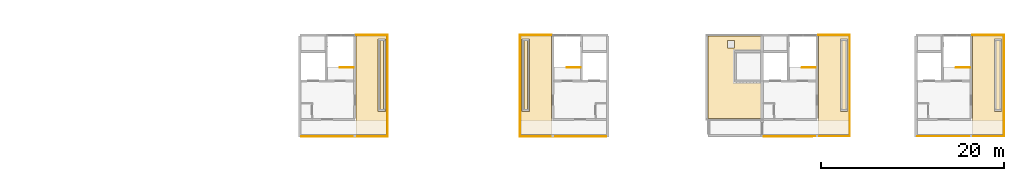
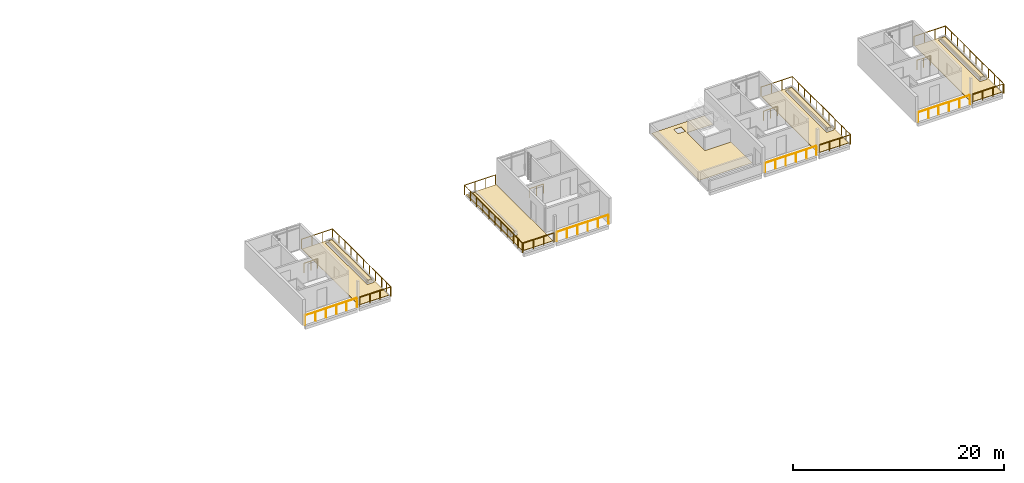
# One storey, part 32 of 33: 20 railings, 13 coverings.
"""IFC4 building model written with IfcOpenShell, lengths in metres."""

from ifc_helpers import new_model, si_unit, direction, frame, origin, origin_2d, place, context, subcontext, project, spatial, polyline, circle, outline, extrude, material, layer, layer_set, type_object, element, save


model = new_model("IFC4")

# Units and contexts
model_context = context("Model", 3, precision=1e-05, world=origin(), true_north=direction((0.0, 1.0)))
body_context = subcontext(model_context, "Body", "Model", "MODEL_VIEW")
ifc_project = project(units=[si_unit("LENGTHUNIT", "METRE"), si_unit("AREAUNIT", "SQUARE_METRE"), si_unit("VOLUMEUNIT", "CUBIC_METRE"), si_unit("PLANEANGLEUNIT", "RADIAN"), si_unit("MASSUNIT", "GRAM", prefix="KILO")], contexts=[model_context])

# Site, building, storey
site_placement = place(None, origin())
site = spatial("IfcSite", under=ifc_project, at=site_placement, CompositionType="ELEMENT")
building_placement = place(site_placement, origin())
building = spatial("IfcBuilding", under=site, at=building_placement, Name="Ridgestep Commons", CompositionType="ELEMENT")
storey_placement = place(building_placement, frame((0.0, 0.0, 42.0)))
storey = spatial("IfcBuildingStorey", under=building, at=storey_placement, Name="L14", CompositionType="ELEMENT", Elevation=42.0)

# Railings
ifc_material_1 = material(Name="Structural steel S355JR", Category="steel")
railing_type_1 = type_object("IfcRailingType", Name="Guard 1100", PredefinedType="GUARDRAIL", material=ifc_material_1)
railing_1_placement = place(storey_placement, frame((173.178955078125, 13.571044921875, 0.0)))
element("IfcRailing", 1, at=railing_1_placement, inside=storey, type_object=railing_type_1, Name="Guard TD-D2R3-GD", PredefinedType="GUARDRAIL", context=body_context, shape_type="SweptSolid", body=[
    extrude(circle(Radius=0.02392578125, at=origin_2d()), frame((0.0, 0.0, 1.076171875), z_axis=(0.0, 1.0, 0.0), x_axis=(-1.0, 0.0, 0.0)), (0.0, 0.0, 1.0), 9.303955078125),
    extrude(circle(Radius=0.02392578125, at=origin_2d()), frame((0.0, 9.303955078125, 1.076171875), z_axis=(-1.0, 0.0, 0.0), x_axis=(0.0, -1.0, 0.0)), (0.0, 0.0, 1.0), 3.432861328125),
    extrude(circle(Radius=0.02099609375, at=origin_2d()), origin(), (0.0, 0.0, 1.0), 1.052001953125),
    extrude(circle(Radius=0.02099609375, at=origin_2d()), frame((0.0, 1.1630859375, 0.0)), (0.0, 0.0, 1.0), 1.052001953125),
    extrude(circle(Radius=0.02099609375, at=origin_2d()), frame((0.0, 2.325927734375, 0.0)), (0.0, 0.0, 1.0), 1.052001953125),
    extrude(circle(Radius=0.02099609375, at=origin_2d()), frame((0.0, 3.489013671875, 0.0)), (0.0, 0.0, 1.0), 1.052001953125),
    extrude(circle(Radius=0.02099609375, at=origin_2d()), frame((0.0, 4.65185546875, 0.0)), (0.0, 0.0, 1.0), 1.052001953125),
    extrude(circle(Radius=0.02099609375, at=origin_2d()), frame((0.0, 5.81494140625, 0.0)), (0.0, 0.0, 1.0), 1.052001953125),
    extrude(circle(Radius=0.02099609375, at=origin_2d()), frame((0.0, 6.97802734375, 0.0)), (0.0, 0.0, 1.0), 1.052001953125),
    extrude(circle(Radius=0.02099609375, at=origin_2d()), frame((0.0, 8.140869140625, 0.0)), (0.0, 0.0, 1.0), 1.052001953125),
    extrude(circle(Radius=0.02099609375, at=origin_2d()), frame((0.0, 9.303955078125, 0.0)), (0.0, 0.0, 1.0), 1.052001953125),
    extrude(circle(Radius=0.02099609375, at=origin_2d()), frame((-1.144287109375, 9.303955078125, 0.0)), (0.0, 0.0, 1.0), 1.052001953125),
    extrude(circle(Radius=0.02099609375, at=origin_2d()), frame((-2.28857421875, 9.303955078125, 0.0)), (0.0, 0.0, 1.0), 1.052001953125),
    extrude(circle(Radius=0.02099609375, at=origin_2d()), frame((-3.432861328125, 9.303955078125, 0.0)), (0.0, 0.0, 1.0), 1.052001953125),
])
railing_2_placement = place(storey_placement, frame((187.62109375, 13.571044921875, 0.0)))
element("IfcRailing", 2, at=railing_2_placement, inside=storey, type_object=railing_type_1, Name="Guard TD-D3R3-GD", PredefinedType="GUARDRAIL", context=body_context, shape_type="SweptSolid", body=[
    extrude(circle(Radius=0.02392578125, at=origin_2d()), frame((0.0, 0.0, 1.076171875), z_axis=(0.0, 1.0, 0.0), x_axis=(-1.0, 0.0, 0.0)), (0.0, 0.0, 1.0), 9.303955078125),
    extrude(circle(Radius=0.02392578125, at=origin_2d()), frame((0.0, 9.303955078125, 1.076171875), z_axis=(1.0, 0.0, 0.0), x_axis=(0.0, 1.0, 0.0)), (0.0, 0.0, 1.0), 3.432861328125),
    extrude(circle(Radius=0.02099609375, at=origin_2d()), origin(), (0.0, 0.0, 1.0), 1.052001953125),
    extrude(circle(Radius=0.02099609375, at=origin_2d()), frame((0.0, 1.1630859375, 0.0)), (0.0, 0.0, 1.0), 1.052001953125),
    extrude(circle(Radius=0.02099609375, at=origin_2d()), frame((0.0, 2.325927734375, 0.0)), (0.0, 0.0, 1.0), 1.052001953125),
    extrude(circle(Radius=0.02099609375, at=origin_2d()), frame((0.0, 3.489013671875, 0.0)), (0.0, 0.0, 1.0), 1.052001953125),
    extrude(circle(Radius=0.02099609375, at=origin_2d()), frame((0.0, 4.65185546875, 0.0)), (0.0, 0.0, 1.0), 1.052001953125),
    extrude(circle(Radius=0.02099609375, at=origin_2d()), frame((0.0, 5.81494140625, 0.0)), (0.0, 0.0, 1.0), 1.052001953125),
    extrude(circle(Radius=0.02099609375, at=origin_2d()), frame((0.0, 6.97802734375, 0.0)), (0.0, 0.0, 1.0), 1.052001953125),
    extrude(circle(Radius=0.02099609375, at=origin_2d()), frame((0.0, 8.140869140625, 0.0)), (0.0, 0.0, 1.0), 1.052001953125),
    extrude(circle(Radius=0.02099609375, at=origin_2d()), frame((0.0, 9.303955078125, 0.0)), (0.0, 0.0, 1.0), 1.052001953125),
    extrude(circle(Radius=0.02099609375, at=origin_2d()), frame((1.144287109375, 9.303955078125, 0.0)), (0.0, 0.0, 1.0), 1.052001953125),
    extrude(circle(Radius=0.02099609375, at=origin_2d()), frame((2.28857421875, 9.303955078125, 0.0)), (0.0, 0.0, 1.0), 1.052001953125),
    extrude(circle(Radius=0.02099609375, at=origin_2d()), frame((3.432861328125, 9.303955078125, 0.0)), (0.0, 0.0, 1.0), 1.052001953125),
])
railing_3_placement = place(storey_placement, frame((223.5791015625, 13.571044921875, 0.0)))
element("IfcRailing", 3, at=railing_3_placement, inside=storey, type_object=railing_type_1, Name="Guard TD-D5R3-GD", PredefinedType="GUARDRAIL", context=body_context, shape_type="SweptSolid", body=[
    extrude(circle(Radius=0.02392578125, at=origin_2d()), frame((0.0, 0.0, 1.076171875), z_axis=(0.0, 1.0, 0.0), x_axis=(-1.0, 0.0, 0.0)), (0.0, 0.0, 1.0), 9.303955078125),
    extrude(circle(Radius=0.02392578125, at=origin_2d()), frame((0.0, 9.303955078125, 1.076171875), z_axis=(-1.0, 0.0, 0.0), x_axis=(0.0, -1.0, 0.0)), (0.0, 0.0, 1.0), 3.43310546875),
    extrude(circle(Radius=0.02099609375, at=origin_2d()), origin(), (0.0, 0.0, 1.0), 1.052001953125),
    extrude(circle(Radius=0.02099609375, at=origin_2d()), frame((0.0, 1.1630859375, 0.0)), (0.0, 0.0, 1.0), 1.052001953125),
    extrude(circle(Radius=0.02099609375, at=origin_2d()), frame((0.0, 2.325927734375, 0.0)), (0.0, 0.0, 1.0), 1.052001953125),
    extrude(circle(Radius=0.02099609375, at=origin_2d()), frame((0.0, 3.489013671875, 0.0)), (0.0, 0.0, 1.0), 1.052001953125),
    extrude(circle(Radius=0.02099609375, at=origin_2d()), frame((0.0, 4.65185546875, 0.0)), (0.0, 0.0, 1.0), 1.052001953125),
    extrude(circle(Radius=0.02099609375, at=origin_2d()), frame((0.0, 5.81494140625, 0.0)), (0.0, 0.0, 1.0), 1.052001953125),
    extrude(circle(Radius=0.02099609375, at=origin_2d()), frame((0.0, 6.97802734375, 0.0)), (0.0, 0.0, 1.0), 1.052001953125),
    extrude(circle(Radius=0.02099609375, at=origin_2d()), frame((0.0, 8.140869140625, 0.0)), (0.0, 0.0, 1.0), 1.052001953125),
    extrude(circle(Radius=0.02099609375, at=origin_2d()), frame((0.0, 9.303955078125, 0.0)), (0.0, 0.0, 1.0), 1.052001953125),
    extrude(circle(Radius=0.02099609375, at=origin_2d()), frame((-1.144287109375, 9.303955078125, 0.0)), (0.0, 0.0, 1.0), 1.052001953125),
    extrude(circle(Radius=0.02099609375, at=origin_2d()), frame((-2.288818359375, 9.303955078125, 0.0)), (0.0, 0.0, 1.0), 1.052001953125),
    extrude(circle(Radius=0.02099609375, at=origin_2d()), frame((-3.43310546875, 9.303955078125, 0.0)), (0.0, 0.0, 1.0), 1.052001953125),
])
railing_4_placement = place(storey_placement, frame((240.37890625, 13.571044921875, 0.0)))
element("IfcRailing", 4, at=railing_4_placement, inside=storey, type_object=railing_type_1, Name="Guard TD-D6R3-GD", PredefinedType="GUARDRAIL", context=body_context, shape_type="SweptSolid", body=[
    extrude(circle(Radius=0.02392578125, at=origin_2d()), frame((0.0, 0.0, 1.076171875), z_axis=(0.0, 1.0, 0.0), x_axis=(-1.0, 0.0, 0.0)), (0.0, 0.0, 1.0), 9.303955078125),
    extrude(circle(Radius=0.02392578125, at=origin_2d()), frame((0.0, 9.303955078125, 1.076171875), z_axis=(-1.0, 0.0, 0.0), x_axis=(0.0, -1.0, 0.0)), (0.0, 0.0, 1.0), 3.432861328125),
    extrude(circle(Radius=0.02099609375, at=origin_2d()), origin(), (0.0, 0.0, 1.0), 1.052001953125),
    extrude(circle(Radius=0.02099609375, at=origin_2d()), frame((0.0, 1.1630859375, 0.0)), (0.0, 0.0, 1.0), 1.052001953125),
    extrude(circle(Radius=0.02099609375, at=origin_2d()), frame((0.0, 2.325927734375, 0.0)), (0.0, 0.0, 1.0), 1.052001953125),
    extrude(circle(Radius=0.02099609375, at=origin_2d()), frame((0.0, 3.489013671875, 0.0)), (0.0, 0.0, 1.0), 1.052001953125),
    extrude(circle(Radius=0.02099609375, at=origin_2d()), frame((0.0, 4.65185546875, 0.0)), (0.0, 0.0, 1.0), 1.052001953125),
    extrude(circle(Radius=0.02099609375, at=origin_2d()), frame((0.0, 5.81494140625, 0.0)), (0.0, 0.0, 1.0), 1.052001953125),
    extrude(circle(Radius=0.02099609375, at=origin_2d()), frame((0.0, 6.97802734375, 0.0)), (0.0, 0.0, 1.0), 1.052001953125),
    extrude(circle(Radius=0.02099609375, at=origin_2d()), frame((0.0, 8.140869140625, 0.0)), (0.0, 0.0, 1.0), 1.052001953125),
    extrude(circle(Radius=0.02099609375, at=origin_2d()), frame((0.0, 9.303955078125, 0.0)), (0.0, 0.0, 1.0), 1.052001953125),
    extrude(circle(Radius=0.02099609375, at=origin_2d()), frame((-1.144287109375, 9.303955078125, 0.0)), (0.0, 0.0, 1.0), 1.052001953125),
    extrude(circle(Radius=0.02099609375, at=origin_2d()), frame((-2.28857421875, 9.303955078125, 0.0)), (0.0, 0.0, 1.0), 1.052001953125),
    extrude(circle(Radius=0.02099609375, at=origin_2d()), frame((-3.432861328125, 9.303955078125, 0.0)), (0.0, 0.0, 1.0), 1.052001953125),
])
railing_5_placement = place(storey_placement, frame((163.77099609375, 11.800048828125, 0.0)))
element("IfcRailing", 5, at=railing_5_placement, inside=storey, type_object=railing_type_1, Name="Gallery guard D 14.1", PredefinedType="GUARDRAIL", context=body_context, shape_type="SweptSolid", body=[
    extrude(circle(Radius=0.02392578125, at=origin_2d()), frame((0.0, 0.0, 1.076171875), z_axis=(1.0, 0.0, 0.0), x_axis=(0.0, 1.0, 0.0)), (0.0, 0.0, 1.0), 5.68310546875),
    extrude(circle(Radius=0.02099609375, at=origin_2d()), origin(), (0.0, 0.0, 1.0), 1.052001953125),
    extrude(circle(Radius=0.02099609375, at=origin_2d()), frame((1.13671875, 0.0, 0.0)), (0.0, 0.0, 1.0), 1.052001953125),
    extrude(circle(Radius=0.02099609375, at=origin_2d()), frame((2.273193359375, 0.0, 0.0)), (0.0, 0.0, 1.0), 1.052001953125),
    extrude(circle(Radius=0.02099609375, at=origin_2d()), frame((3.409912109375, 0.0, 0.0)), (0.0, 0.0, 1.0), 1.052001953125),
    extrude(circle(Radius=0.02099609375, at=origin_2d()), frame((4.54638671875, 0.0, 0.0)), (0.0, 0.0, 1.0), 1.052001953125),
    extrude(circle(Radius=0.02099609375, at=origin_2d()), frame((5.68310546875, 0.0, 0.0)), (0.0, 0.0, 1.0), 1.052001953125),
])
railing_6_placement = place(storey_placement, frame((169.74609375, 11.800048828125, 0.0)))
element("IfcRailing", 6, at=railing_6_placement, inside=storey, type_object=railing_type_1, Name="Gallery guard D 14.2", PredefinedType="GUARDRAIL", context=body_context, shape_type="SweptSolid", body=[
    extrude(circle(Radius=0.02392578125, at=origin_2d()), frame((0.0, 0.0, 1.076171875), z_axis=(1.0, 0.0, 0.0), x_axis=(0.0, 1.0, 0.0)), (0.0, 0.0, 1.0), 3.369873046875),
    extrude(circle(Radius=0.02099609375, at=origin_2d()), origin(), (0.0, 0.0, 1.0), 1.052001953125),
    extrude(circle(Radius=0.02099609375, at=origin_2d()), frame((1.123291015625, 0.0, 0.0)), (0.0, 0.0, 1.0), 1.052001953125),
    extrude(circle(Radius=0.02099609375, at=origin_2d()), frame((2.24658203125, 0.0, 0.0)), (0.0, 0.0, 1.0), 1.052001953125),
    extrude(circle(Radius=0.02099609375, at=origin_2d()), frame((3.369873046875, 0.0, 0.0)), (0.0, 0.0, 1.0), 1.052001953125),
])
railing_7_placement = place(storey_placement, frame((173.178955078125, 11.800048828125, 0.0)))
element("IfcRailing", 7, at=railing_7_placement, inside=storey, type_object=railing_type_1, Name="Gallery end guard D 14.2E", PredefinedType="GUARDRAIL", context=body_context, shape_type="SweptSolid", body=[
    extrude(circle(Radius=0.02392578125, at=origin_2d()), frame((0.0, 0.0, 1.076171875), z_axis=(0.0, 1.0, 0.0), x_axis=(-1.0, 0.0, 0.0)), (0.0, 0.0, 1.0), 1.72900390625),
    extrude(circle(Radius=0.02099609375, at=origin_2d()), origin(), (0.0, 0.0, 1.0), 1.052001953125),
    extrude(circle(Radius=0.02099609375, at=origin_2d()), frame((0.0, 0.864501953125, 0.0)), (0.0, 0.0, 1.0), 1.052001953125),
    extrude(circle(Radius=0.02099609375, at=origin_2d()), frame((0.0, 1.72900390625, 0.0)), (0.0, 0.0, 1.0), 1.052001953125),
])
railing_8_placement = place(storey_placement, frame((187.68408203125, 11.800048828125, 0.0)))
element("IfcRailing", 8, at=railing_8_placement, inside=storey, type_object=railing_type_1, Name="Gallery guard D 14.1", PredefinedType="GUARDRAIL", context=body_context, shape_type="SweptSolid", body=[
    extrude(circle(Radius=0.02392578125, at=origin_2d()), frame((0.0, 0.0, 1.076171875), z_axis=(1.0, 0.0, 0.0), x_axis=(0.0, 1.0, 0.0)), (0.0, 0.0, 1.0), 3.369873046875),
    extrude(circle(Radius=0.02099609375, at=origin_2d()), origin(), (0.0, 0.0, 1.0), 1.052001953125),
    extrude(circle(Radius=0.02099609375, at=origin_2d()), frame((1.123291015625, 0.0, 0.0)), (0.0, 0.0, 1.0), 1.052001953125),
    extrude(circle(Radius=0.02099609375, at=origin_2d()), frame((2.24658203125, 0.0, 0.0)), (0.0, 0.0, 1.0), 1.052001953125),
    extrude(circle(Radius=0.02099609375, at=origin_2d()), frame((3.369873046875, 0.0, 0.0)), (0.0, 0.0, 1.0), 1.052001953125),
])
railing_9_placement = place(storey_placement, frame((187.62109375, 11.800048828125, 0.0)))
element("IfcRailing", 9, at=railing_9_placement, inside=storey, type_object=railing_type_1, Name="Gallery end guard D 14.1W", PredefinedType="GUARDRAIL", context=body_context, shape_type="SweptSolid", body=[
    extrude(circle(Radius=0.02392578125, at=origin_2d()), frame((0.0, 0.0, 1.076171875), z_axis=(0.0, 1.0, 0.0), x_axis=(-1.0, 0.0, 0.0)), (0.0, 0.0, 1.0), 1.72900390625),
    extrude(circle(Radius=0.02099609375, at=origin_2d()), origin(), (0.0, 0.0, 1.0), 1.052001953125),
    extrude(circle(Radius=0.02099609375, at=origin_2d()), frame((0.0, 0.864501953125, 0.0)), (0.0, 0.0, 1.0), 1.052001953125),
    extrude(circle(Radius=0.02099609375, at=origin_2d()), frame((0.0, 1.72900390625, 0.0)), (0.0, 0.0, 1.0), 1.052001953125),
])
railing_10_placement = place(storey_placement, frame((191.345947265625, 11.800048828125, 0.0)))
element("IfcRailing", 10, at=railing_10_placement, inside=storey, type_object=railing_type_1, Name="Gallery guard D 14.2", PredefinedType="GUARDRAIL", context=body_context, shape_type="SweptSolid", body=[
    extrude(circle(Radius=0.02392578125, at=origin_2d()), frame((0.0, 0.0, 1.076171875), z_axis=(1.0, 0.0, 0.0), x_axis=(0.0, 1.0, 0.0)), (0.0, 0.0, 1.0), 5.68310546875),
    extrude(circle(Radius=0.02099609375, at=origin_2d()), origin(), (0.0, 0.0, 1.0), 1.052001953125),
    extrude(circle(Radius=0.02099609375, at=origin_2d()), frame((1.13671875, 0.0, 0.0)), (0.0, 0.0, 1.0), 1.052001953125),
    extrude(circle(Radius=0.02099609375, at=origin_2d()), frame((2.273193359375, 0.0, 0.0)), (0.0, 0.0, 1.0), 1.052001953125),
    extrude(circle(Radius=0.02099609375, at=origin_2d()), frame((3.409912109375, 0.0, 0.0)), (0.0, 0.0, 1.0), 1.052001953125),
    extrude(circle(Radius=0.02099609375, at=origin_2d()), frame((4.54638671875, 0.0, 0.0)), (0.0, 0.0, 1.0), 1.052001953125),
    extrude(circle(Radius=0.02099609375, at=origin_2d()), frame((5.68310546875, 0.0, 0.0)), (0.0, 0.0, 1.0), 1.052001953125),
])
railing_11_placement = place(storey_placement, frame((214.2109375, 11.800048828125, 0.0)))
element("IfcRailing", 11, at=railing_11_placement, inside=storey, type_object=railing_type_1, Name="Gallery guard D 14.2", PredefinedType="GUARDRAIL", context=body_context, shape_type="SweptSolid", body=[
    extrude(circle(Radius=0.02392578125, at=origin_2d()), frame((0.0, 0.0, 1.076171875), z_axis=(1.0, 0.0, 0.0), x_axis=(0.0, 1.0, 0.0)), (0.0, 0.0, 1.0), 5.64306640625),
    extrude(circle(Radius=0.02099609375, at=origin_2d()), origin(), (0.0, 0.0, 1.0), 1.052001953125),
    extrude(circle(Radius=0.02099609375, at=origin_2d()), frame((1.128662109375, 0.0, 0.0)), (0.0, 0.0, 1.0), 1.052001953125),
    extrude(circle(Radius=0.02099609375, at=origin_2d()), frame((2.25732421875, 0.0, 0.0)), (0.0, 0.0, 1.0), 1.052001953125),
    extrude(circle(Radius=0.02099609375, at=origin_2d()), frame((3.3857421875, 0.0, 0.0)), (0.0, 0.0, 1.0), 1.052001953125),
    extrude(circle(Radius=0.02099609375, at=origin_2d()), frame((4.514404296875, 0.0, 0.0)), (0.0, 0.0, 1.0), 1.052001953125),
    extrude(circle(Radius=0.02099609375, at=origin_2d()), frame((5.64306640625, 0.0, 0.0)), (0.0, 0.0, 1.0), 1.052001953125),
])
railing_12_placement = place(storey_placement, frame((220.14599609375, 11.800048828125, 0.0)))
element("IfcRailing", 12, at=railing_12_placement, inside=storey, type_object=railing_type_1, Name="Gallery guard D 14.3", PredefinedType="GUARDRAIL", context=body_context, shape_type="SweptSolid", body=[
    extrude(circle(Radius=0.02392578125, at=origin_2d()), frame((0.0, 0.0, 1.076171875), z_axis=(1.0, 0.0, 0.0), x_axis=(0.0, 1.0, 0.0)), (0.0, 0.0, 1.0), 3.3701171875),
    extrude(circle(Radius=0.02099609375, at=origin_2d()), origin(), (0.0, 0.0, 1.0), 1.052001953125),
    extrude(circle(Radius=0.02099609375, at=origin_2d()), frame((1.123291015625, 0.0, 0.0)), (0.0, 0.0, 1.0), 1.052001953125),
    extrude(circle(Radius=0.02099609375, at=origin_2d()), frame((2.246826171875, 0.0, 0.0)), (0.0, 0.0, 1.0), 1.052001953125),
    extrude(circle(Radius=0.02099609375, at=origin_2d()), frame((3.3701171875, 0.0, 0.0)), (0.0, 0.0, 1.0), 1.052001953125),
])
railing_13_placement = place(storey_placement, frame((223.5791015625, 11.800048828125, 0.0)))
element("IfcRailing", 13, at=railing_13_placement, inside=storey, type_object=railing_type_1, Name="Gallery end guard D 14.3E", PredefinedType="GUARDRAIL", context=body_context, shape_type="SweptSolid", body=[
    extrude(circle(Radius=0.02392578125, at=origin_2d()), frame((0.0, 0.0, 1.076171875), z_axis=(0.0, 1.0, 0.0), x_axis=(-1.0, 0.0, 0.0)), (0.0, 0.0, 1.0), 1.72900390625),
    extrude(circle(Radius=0.02099609375, at=origin_2d()), origin(), (0.0, 0.0, 1.0), 1.052001953125),
    extrude(circle(Radius=0.02099609375, at=origin_2d()), frame((0.0, 0.864501953125, 0.0)), (0.0, 0.0, 1.0), 1.052001953125),
    extrude(circle(Radius=0.02099609375, at=origin_2d()), frame((0.0, 1.72900390625, 0.0)), (0.0, 0.0, 1.0), 1.052001953125),
])
railing_14_placement = place(storey_placement, frame((230.970947265625, 11.800048828125, 0.0)))
element("IfcRailing", 14, at=railing_14_placement, inside=storey, type_object=railing_type_1, Name="Gallery guard D 14.1", PredefinedType="GUARDRAIL", context=body_context, shape_type="SweptSolid", body=[
    extrude(circle(Radius=0.02392578125, at=origin_2d()), frame((0.0, 0.0, 1.076171875), z_axis=(1.0, 0.0, 0.0), x_axis=(0.0, 1.0, 0.0)), (0.0, 0.0, 1.0), 5.68310546875),
    extrude(circle(Radius=0.02099609375, at=origin_2d()), origin(), (0.0, 0.0, 1.0), 1.052001953125),
    extrude(circle(Radius=0.02099609375, at=origin_2d()), frame((1.13671875, 0.0, 0.0)), (0.0, 0.0, 1.0), 1.052001953125),
    extrude(circle(Radius=0.02099609375, at=origin_2d()), frame((2.273193359375, 0.0, 0.0)), (0.0, 0.0, 1.0), 1.052001953125),
    extrude(circle(Radius=0.02099609375, at=origin_2d()), frame((3.409912109375, 0.0, 0.0)), (0.0, 0.0, 1.0), 1.052001953125),
    extrude(circle(Radius=0.02099609375, at=origin_2d()), frame((4.54638671875, 0.0, 0.0)), (0.0, 0.0, 1.0), 1.052001953125),
    extrude(circle(Radius=0.02099609375, at=origin_2d()), frame((5.68310546875, 0.0, 0.0)), (0.0, 0.0, 1.0), 1.052001953125),
])
railing_15_placement = place(storey_placement, frame((236.946044921875, 11.800048828125, 0.0)))
element("IfcRailing", 15, at=railing_15_placement, inside=storey, type_object=railing_type_1, Name="Gallery guard D 14.2", PredefinedType="GUARDRAIL", context=body_context, shape_type="SweptSolid", body=[
    extrude(circle(Radius=0.02392578125, at=origin_2d()), frame((0.0, 0.0, 1.076171875), z_axis=(1.0, 0.0, 0.0), x_axis=(0.0, 1.0, 0.0)), (0.0, 0.0, 1.0), 3.369873046875),
    extrude(circle(Radius=0.02099609375, at=origin_2d()), origin(), (0.0, 0.0, 1.0), 1.052001953125),
    extrude(circle(Radius=0.02099609375, at=origin_2d()), frame((1.123291015625, 0.0, 0.0)), (0.0, 0.0, 1.0), 1.052001953125),
    extrude(circle(Radius=0.02099609375, at=origin_2d()), frame((2.24658203125, 0.0, 0.0)), (0.0, 0.0, 1.0), 1.052001953125),
    extrude(circle(Radius=0.02099609375, at=origin_2d()), frame((3.369873046875, 0.0, 0.0)), (0.0, 0.0, 1.0), 1.052001953125),
])
railing_16_placement = place(storey_placement, frame((240.37890625, 11.800048828125, 0.0)))
element("IfcRailing", 16, at=railing_16_placement, inside=storey, type_object=railing_type_1, Name="Gallery end guard D 14.2E", PredefinedType="GUARDRAIL", context=body_context, shape_type="SweptSolid", body=[
    extrude(circle(Radius=0.02392578125, at=origin_2d()), frame((0.0, 0.0, 1.076171875), z_axis=(0.0, 1.0, 0.0), x_axis=(-1.0, 0.0, 0.0)), (0.0, 0.0, 1.0), 1.72900390625),
    extrude(circle(Radius=0.02099609375, at=origin_2d()), origin(), (0.0, 0.0, 1.0), 1.052001953125),
    extrude(circle(Radius=0.02099609375, at=origin_2d()), frame((0.0, 0.864501953125, 0.0)), (0.0, 0.0, 1.0), 1.052001953125),
    extrude(circle(Radius=0.02099609375, at=origin_2d()), frame((0.0, 1.72900390625, 0.0)), (0.0, 0.0, 1.0), 1.052001953125),
])

# Coverings
ifc_material_2 = material(Name="Planting soil")
ifc_layer_1 = layer(ifc_material_2, 0.35009765625)
ifc_layer_set_1 = layer_set([ifc_layer_1], Name="Planting soil 350")
covering_type_1 = type_object("IfcCoveringType", Name="Planting soil 350", PredefinedType="FLOORING", material=ifc_layer_set_1)
covering_1_placement = place(storey_placement, frame((0.0, 0.0, 0.010009765625)))
element("IfcCovering", 17, at=covering_1_placement, inside=storey, type_object=covering_type_1, Name="Planting soil D2R3", PredefinedType="FLOORING", context=body_context, shape_type="SweptSolid", body=[
    extrude(outline(polyline([(172.35009765625, 14.75), (172.75, 14.75), (172.75, 22.25), (172.35009765625, 22.25), (172.35009765625, 14.75)])), origin(), (0.0, 0.0, 1.0), 0.35009765625),
])
covering_2_placement = place(storey_placement, frame((0.0, 0.0, 0.010009765625)))
element("IfcCovering", 18, at=covering_2_placement, inside=storey, type_object=covering_type_1, Name="Planting soil D3R3", PredefinedType="FLOORING", context=body_context, shape_type="SweptSolid", body=[
    extrude(outline(polyline([(188.050048828125, 14.75), (188.449951171875, 14.75), (188.449951171875, 22.25), (188.050048828125, 22.25), (188.050048828125, 14.75)])), origin(), (0.0, 0.0, 1.0), 0.35009765625),
])
covering_3_placement = place(storey_placement, frame((0.0, 0.0, 0.010009765625)))
element("IfcCovering", 19, at=covering_3_placement, inside=storey, type_object=covering_type_1, Name="Planting soil D5R3", PredefinedType="FLOORING", context=body_context, shape_type="SweptSolid", body=[
    extrude(outline(polyline([(222.75, 14.75), (223.14990234375, 14.75), (223.14990234375, 22.25), (222.75, 22.25), (222.75, 14.75)])), origin(), (0.0, 0.0, 1.0), 0.35009765625),
])
covering_4_placement = place(storey_placement, frame((0.0, 0.0, 0.010009765625)))
element("IfcCovering", 20, at=covering_4_placement, inside=storey, type_object=covering_type_1, Name="Planting soil D6R3", PredefinedType="FLOORING", context=body_context, shape_type="SweptSolid", body=[
    extrude(outline(polyline([(239.550048828125, 14.75), (239.949951171875, 14.75), (239.949951171875, 22.25), (239.550048828125, 22.25), (239.550048828125, 14.75)])), origin(), (0.0, 0.0, 1.0), 0.35009765625),
])
ifc_material_3 = material(Name="Bitumen membrane, two layer")
ifc_layer_2 = layer(ifc_material_3, 0.011962890625)
ifc_layer_set_2 = layer_set([ifc_layer_2], Name="Roof membrane 12")
covering_type_2 = type_object("IfcCoveringType", Name="Roof membrane 12", PredefinedType="ROOFING", material=ifc_layer_set_2)
covering_5_placement = place(storey_placement, origin())
element("IfcCovering", 21, at=covering_5_placement, inside=storey, type_object=covering_type_2, Name="Roof membrane D4C", PredefinedType="ROOFING", context=body_context, shape_type="SweptSolid", body=[
    extrude(outline(polyline([(208.10009765625, 13.75), (208.10009765625, 22.77490234375), (213.89990234375, 22.77490234375), (213.89990234375, 21.14990234375), (211.02490234375, 21.14990234375), (211.02490234375, 17.75), (213.89990234375, 17.75), (213.89990234375, 13.75), (208.10009765625, 13.75)]), holes=[polyline([(211.02490234375, 22.25), (210.22509765625, 22.25), (210.22509765625, 21.449951171875), (211.02490234375, 21.449951171875), (211.02490234375, 22.25)])]), origin(), (0.0, 0.0, 1.0), 0.011962890625),
])

# Railings
ifc_material_4 = material(Name="Structural steel S355JR", Category="steel")
railing_type_2 = type_object("IfcRailingType", Name="Stair guard 1100", PredefinedType="GUARDRAIL", material=ifc_material_4)
for number, where, name in (
    (22, (169.47509765625, 19.300048828125, 0.0), "L14 D2C top well guard 1"),
    (23, (194.22509765625, 19.300048828125, 0.0), "L14 D3C top well guard 1"),
    (24, (219.875, 19.300048828125, 0.0), "L14 D5C top well guard 1"),
    (25, (236.675048828125, 19.300048828125, 0.0), "L14 D6C top well guard 1"),
):
    element("IfcRailing", number, at=place(storey_placement, frame(where)), inside=storey, type_object=railing_type_2, Name=name, PredefinedType="GUARDRAIL", context=body_context, shape_type="SweptSolid", body=[
        extrude(circle(Radius=0.02392578125, at=origin_2d()), frame((0.0, 0.0, 1.076171875), z_axis=(-1.0, 0.0, 0.0), x_axis=(0.0, -1.0, 0.0)), (0.0, 0.0, 1.0), 1.5),
        extrude(circle(Radius=0.02099609375, at=origin_2d()), origin(), (0.0, 0.0, 1.0), 1.052001953125),
        extrude(circle(Radius=0.02099609375, at=origin_2d()), frame((-0.75, 0.0, 0.0)), (0.0, 0.0, 1.0), 1.052001953125),
        extrude(circle(Radius=0.02099609375, at=origin_2d()), frame((-1.5, 0.0, 0.0)), (0.0, 0.0, 1.0), 1.052001953125),
    ])

# Coverings
ifc_material_5 = material(Name="Bitumen membrane, two layer")
ifc_layer_3 = layer(ifc_material_5, 0.010009765625)
ifc_layer_set_3 = layer_set([ifc_layer_3], Name="Terrace membrane 10")
covering_type_3 = type_object("IfcCoveringType", Name="Terrace membrane 10", PredefinedType="ROOFING", material=ifc_layer_set_3)
covering_6_placement = place(storey_placement, origin())
element("IfcCovering", 26, at=covering_6_placement, inside=storey, type_object=covering_type_3, Name="Terrace membrane D2R3", PredefinedType="ROOFING", context=body_context, shape_type="SweptSolid", body=[
    extrude(outline(polyline([(173.074951171875, 12.0), (173.074951171875, 22.75), (169.75, 22.75), (169.75, 12.0), (173.074951171875, 12.0)]), holes=[polyline([(172.949951171875, 14.550048828125), (172.949951171875, 22.449951171875), (172.14990234375, 22.449951171875), (172.14990234375, 14.550048828125), (172.949951171875, 14.550048828125)])]), origin(), (0.0, 0.0, 1.0), 0.010009765625),
])
covering_7_placement = place(storey_placement, origin())
element("IfcCovering", 27, at=covering_7_placement, inside=storey, type_object=covering_type_3, Name="Terrace membrane D3R3", PredefinedType="ROOFING", context=body_context, shape_type="SweptSolid", body=[
    extrude(outline(polyline([(191.050048828125, 12.0), (191.050048828125, 22.75), (187.72509765625, 22.75), (187.72509765625, 12.0), (191.050048828125, 12.0)]), holes=[polyline([(188.64990234375, 14.550048828125), (188.64990234375, 22.449951171875), (187.85009765625, 22.449951171875), (187.85009765625, 14.550048828125), (188.64990234375, 14.550048828125)])]), origin(), (0.0, 0.0, 1.0), 0.010009765625),
])
covering_8_placement = place(storey_placement, origin())
element("IfcCovering", 28, at=covering_8_placement, inside=storey, type_object=covering_type_3, Name="Terrace membrane D5R3", PredefinedType="ROOFING", context=body_context, shape_type="SweptSolid", body=[
    extrude(outline(polyline([(223.47509765625, 12.0), (223.47509765625, 22.75), (220.14990234375, 22.75), (220.14990234375, 12.0), (223.47509765625, 12.0)]), holes=[polyline([(223.35009765625, 14.550048828125), (223.35009765625, 22.449951171875), (222.550048828125, 22.449951171875), (222.550048828125, 14.550048828125), (223.35009765625, 14.550048828125)])]), origin(), (0.0, 0.0, 1.0), 0.010009765625),
])
covering_9_placement = place(storey_placement, origin())
element("IfcCovering", 29, at=covering_9_placement, inside=storey, type_object=covering_type_3, Name="Terrace membrane D6R3", PredefinedType="ROOFING", context=body_context, shape_type="SweptSolid", body=[
    extrude(outline(polyline([(240.27490234375, 12.0), (240.27490234375, 22.75), (236.949951171875, 22.75), (236.949951171875, 12.0), (240.27490234375, 12.0)]), holes=[polyline([(240.14990234375, 14.550048828125), (240.14990234375, 22.449951171875), (239.35009765625, 22.449951171875), (239.35009765625, 14.550048828125), (240.14990234375, 14.550048828125)])]), origin(), (0.0, 0.0, 1.0), 0.010009765625),
])
ifc_material_6 = material(Name="Concrete paving slab", Category="concrete")
ifc_layer_4 = layer(ifc_material_6, 0.030029296875)
ifc_layer_set_4 = layer_set([ifc_layer_4], Name="Terrace paving 30")
covering_type_4 = type_object("IfcCoveringType", Name="Terrace paving 30", PredefinedType="FLOORING", material=ifc_layer_set_4)
covering_10_placement = place(storey_placement, frame((0.0, 0.0, 0.010009765625)))
element("IfcCovering", 30, at=covering_10_placement, inside=storey, type_object=covering_type_4, Name="Terrace paving D2R3", PredefinedType="FLOORING", context=body_context, shape_type="SweptSolid", body=[
    extrude(outline(polyline([(173.074951171875, 12.0), (173.074951171875, 22.75), (169.75, 22.75), (169.75, 12.0), (173.074951171875, 12.0)]), holes=[polyline([(172.949951171875, 14.550048828125), (172.949951171875, 22.449951171875), (172.14990234375, 22.449951171875), (172.14990234375, 14.550048828125), (172.949951171875, 14.550048828125)])]), origin(), (0.0, 0.0, 1.0), 0.030029296875),
])
covering_11_placement = place(storey_placement, frame((0.0, 0.0, 0.010009765625)))
element("IfcCovering", 31, at=covering_11_placement, inside=storey, type_object=covering_type_4, Name="Terrace paving D3R3", PredefinedType="FLOORING", context=body_context, shape_type="SweptSolid", body=[
    extrude(outline(polyline([(191.050048828125, 12.0), (191.050048828125, 22.75), (187.72509765625, 22.75), (187.72509765625, 12.0), (191.050048828125, 12.0)]), holes=[polyline([(188.64990234375, 14.550048828125), (188.64990234375, 22.449951171875), (187.85009765625, 22.449951171875), (187.85009765625, 14.550048828125), (188.64990234375, 14.550048828125)])]), origin(), (0.0, 0.0, 1.0), 0.030029296875),
])
covering_12_placement = place(storey_placement, frame((0.0, 0.0, 0.010009765625)))
element("IfcCovering", 32, at=covering_12_placement, inside=storey, type_object=covering_type_4, Name="Terrace paving D5R3", PredefinedType="FLOORING", context=body_context, shape_type="SweptSolid", body=[
    extrude(outline(polyline([(223.47509765625, 12.0), (223.47509765625, 22.75), (220.14990234375, 22.75), (220.14990234375, 12.0), (223.47509765625, 12.0)]), holes=[polyline([(223.35009765625, 14.550048828125), (223.35009765625, 22.449951171875), (222.550048828125, 22.449951171875), (222.550048828125, 14.550048828125), (223.35009765625, 14.550048828125)])]), origin(), (0.0, 0.0, 1.0), 0.030029296875),
])
covering_13_placement = place(storey_placement, frame((0.0, 0.0, 0.010009765625)))
element("IfcCovering", 33, at=covering_13_placement, inside=storey, type_object=covering_type_4, Name="Terrace paving D6R3", PredefinedType="FLOORING", context=body_context, shape_type="SweptSolid", body=[
    extrude(outline(polyline([(240.27490234375, 12.0), (240.27490234375, 22.75), (236.949951171875, 22.75), (236.949951171875, 12.0), (240.27490234375, 12.0)]), holes=[polyline([(240.14990234375, 14.550048828125), (240.14990234375, 22.449951171875), (239.35009765625, 22.449951171875), (239.35009765625, 14.550048828125), (240.14990234375, 14.550048828125)])]), origin(), (0.0, 0.0, 1.0), 0.030029296875),
])

save(model, "model.ifc")
